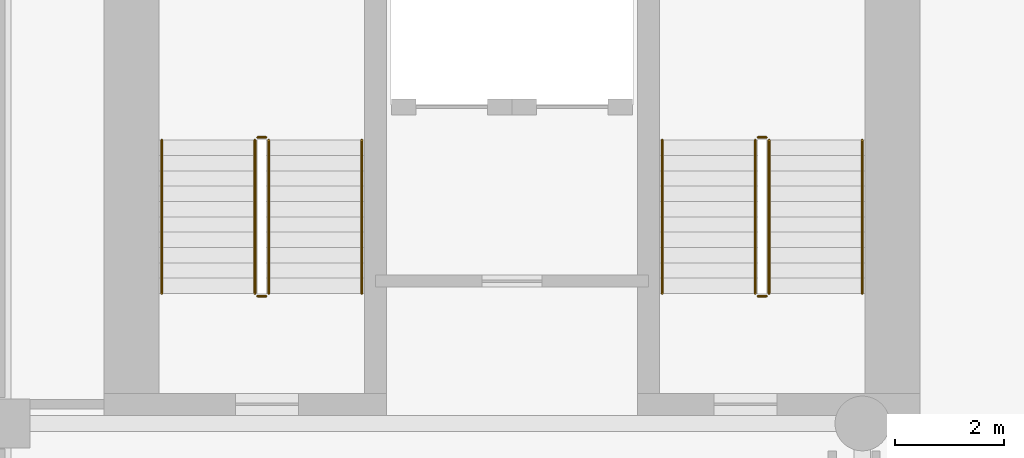
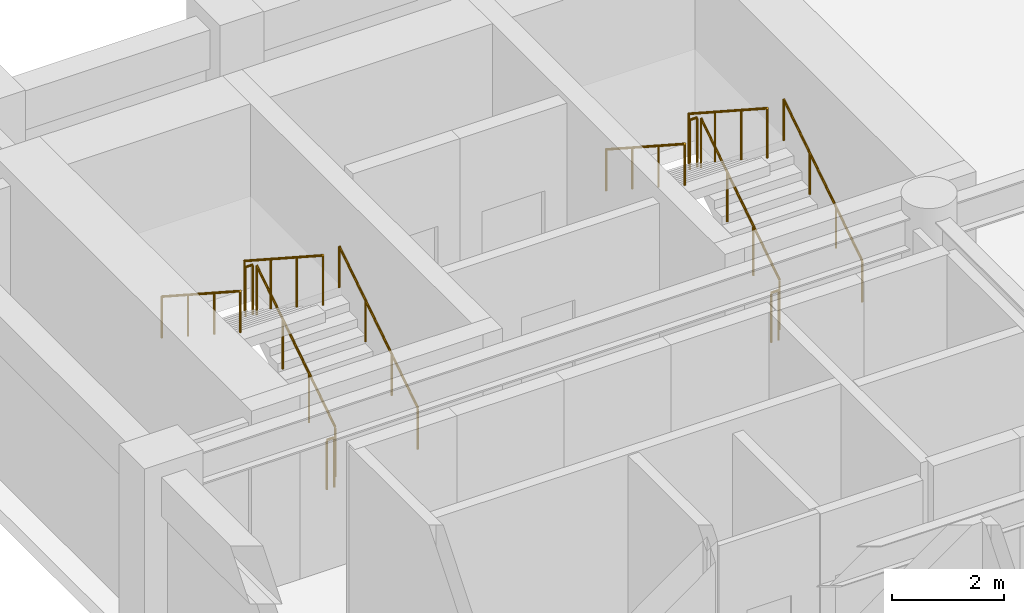
# One storey, part 7 of 8: 12 railings.
"""IFC4 building model written with IfcOpenShell, lengths in metres."""

from ifc_helpers import new_model, si_unit, direction, frame, origin, origin_2d, place, context, subcontext, project, spatial, circle, extrude, material, type_object, element, save


model = new_model("IFC4")

# Units and contexts
model_context = context("Model", 3, precision=1e-05, world=origin(), true_north=direction((0.0, 1.0)))
body_context = subcontext(model_context, "Body", "Model", "MODEL_VIEW")
ifc_project = project(units=[si_unit("LENGTHUNIT", "METRE"), si_unit("AREAUNIT", "SQUARE_METRE"), si_unit("VOLUMEUNIT", "CUBIC_METRE"), si_unit("PLANEANGLEUNIT", "RADIAN"), si_unit("MASSUNIT", "GRAM", prefix="KILO")], contexts=[model_context])

# Site, building, storey
site_placement = place(None, origin())
site = spatial("IfcSite", under=ifc_project, at=site_placement, CompositionType="ELEMENT")
building_placement = place(site_placement, origin())
building = spatial("IfcBuilding", under=site, at=building_placement, Name="Sulina Concourse Tower", CompositionType="ELEMENT")
storey_placement = place(building_placement, frame((0.0, 0.0, 74.60009765625)))
storey = spatial("IfcBuildingStorey", under=building, at=storey_placement, Name="L18", CompositionType="ELEMENT", Elevation=74.60009765625)

# Railings
ifc_material_1 = material(Name="Galvanised steel railing", Category="steel")
railing_type_1 = type_object("IfcRailingType", Name="Core Stair Steel Guardrail 1150mm", PredefinedType="GUARDRAIL", material=ifc_material_1)
railing_1_placement = place(storey_placement, frame((5.554931640625, 36.375, 0.181640625)))
element("IfcRailing", 1, at=railing_1_placement, inside=storey, type_object=railing_type_1, Name="L18 ST-1 stair guard 1", PredefinedType="GUARDRAIL", context=body_context, shape_type="SweptSolid", body=[
    extrude(circle(Radius=0.02392578125, at=origin_2d()), frame((0.0, 0.0, 1.076171875), z_axis=(0.0, 0.838672427954, 0.544636170843), x_axis=(-1.0, 0.0, 0.0)), (0.0, 0.0, 1.0), 3.338623046875),
    extrude(circle(Radius=0.02099609375, at=origin_2d()), origin(), (0.0, 0.0, 1.0), 1.052001953125),
    extrude(circle(Radius=0.02099609375, at=origin_2d()), frame((0.0, 0.933349609375, 0.606201171875)), (0.0, 0.0, 1.0), 1.052001953125),
    extrude(circle(Radius=0.02099609375, at=origin_2d()), frame((0.0, 1.86669921875, 1.212158203125)), (0.0, 0.0, 1.0), 1.052001953125),
    extrude(circle(Radius=0.02099609375, at=origin_2d()), frame((0.0, 2.800048828125, 1.818359375)), (0.0, 0.0, 1.0), 1.052001953125),
])
railing_2_placement = place(storey_placement, frame((5.5048828125, 39.22509765625, 2.0)))
element("IfcRailing", 2, at=railing_2_placement, inside=storey, type_object=railing_type_1, Name="L18 ST-1 stair guard 2", PredefinedType="GUARDRAIL", context=body_context, shape_type="SweptSolid", body=[
    extrude(circle(Radius=0.02392578125, at=origin_2d()), frame((0.0, 0.0, 1.076171875), z_axis=(-1.0, 0.0, 0.0), x_axis=(0.0, -1.0, 0.0)), (0.0, 0.0, 1.0), 0.14990234375),
    extrude(circle(Radius=0.02099609375, at=origin_2d()), origin(), (0.0, 0.0, 1.0), 1.052001953125),
    extrude(circle(Radius=0.02099609375, at=origin_2d()), frame((-0.14990234375, 0.0, 0.0)), (0.0, 0.0, 1.0), 1.052001953125),
])
railing_3_placement = place(storey_placement, frame((5.304931640625, 39.175048828125, 2.181640625)))
element("IfcRailing", 3, at=railing_3_placement, inside=storey, type_object=railing_type_1, Name="L18 ST-1 stair guard 3", PredefinedType="GUARDRAIL", context=body_context, shape_type="SweptSolid", body=[
    extrude(circle(Radius=0.02392578125, at=origin_2d()), frame((0.0, 0.0, 1.076171875), z_axis=(0.0, -0.838672427954, 0.544636170843), x_axis=(1.0, 0.0, 0.0)), (0.0, 0.0, 1.0), 3.338623046875),
    extrude(circle(Radius=0.02099609375, at=origin_2d()), origin(), (0.0, 0.0, 1.0), 1.052001953125),
    extrude(circle(Radius=0.02099609375, at=origin_2d()), frame((0.0, -0.933349609375, 0.606201171875)), (0.0, 0.0, 1.0), 1.052001953125),
    extrude(circle(Radius=0.02099609375, at=origin_2d()), frame((0.0, -1.86669921875, 1.212158203125)), (0.0, 0.0, 1.0), 1.052001953125),
    extrude(circle(Radius=0.02099609375, at=origin_2d()), frame((0.0, -2.800048828125, 1.818359375)), (0.0, 0.0, 1.0), 1.052001953125),
])
railing_4_placement = place(storey_placement, frame((5.5048828125, 36.324951171875, 0.0)))
element("IfcRailing", 4, at=railing_4_placement, inside=storey, type_object=railing_type_1, Name="L18 ST-1 stair guard 4", PredefinedType="GUARDRAIL", context=body_context, shape_type="SweptSolid", body=[
    extrude(circle(Radius=0.02392578125, at=origin_2d()), frame((0.0, 0.0, 1.076171875), z_axis=(-1.0, 0.0, 0.0), x_axis=(0.0, -1.0, 0.0)), (0.0, 0.0, 1.0), 0.14990234375),
    extrude(circle(Radius=0.02099609375, at=origin_2d()), origin(), (0.0, 0.0, 1.0), 1.052001953125),
    extrude(circle(Radius=0.02099609375, at=origin_2d()), frame((-0.14990234375, 0.0, 0.0)), (0.0, 0.0, 1.0), 1.052001953125),
])
railing_5_placement = place(storey_placement, frame((14.695068359375, 36.375, 0.181640625)))
element("IfcRailing", 5, at=railing_5_placement, inside=storey, type_object=railing_type_1, Name="L18 ST-2 stair guard 1", PredefinedType="GUARDRAIL", context=body_context, shape_type="SweptSolid", body=[
    extrude(circle(Radius=0.02392578125, at=origin_2d()), frame((0.0, 0.0, 1.076171875), z_axis=(0.0, 0.838672427954, 0.544636170843), x_axis=(-1.0, 0.0, 0.0)), (0.0, 0.0, 1.0), 3.338623046875),
    extrude(circle(Radius=0.02099609375, at=origin_2d()), origin(), (0.0, 0.0, 1.0), 1.052001953125),
    extrude(circle(Radius=0.02099609375, at=origin_2d()), frame((0.0, 0.933349609375, 0.606201171875)), (0.0, 0.0, 1.0), 1.052001953125),
    extrude(circle(Radius=0.02099609375, at=origin_2d()), frame((0.0, 1.86669921875, 1.212158203125)), (0.0, 0.0, 1.0), 1.052001953125),
    extrude(circle(Radius=0.02099609375, at=origin_2d()), frame((0.0, 2.800048828125, 1.818359375)), (0.0, 0.0, 1.0), 1.052001953125),
])
railing_6_placement = place(storey_placement, frame((14.64501953125, 39.22509765625, 2.0)))
element("IfcRailing", 6, at=railing_6_placement, inside=storey, type_object=railing_type_1, Name="L18 ST-2 stair guard 2", PredefinedType="GUARDRAIL", context=body_context, shape_type="SweptSolid", body=[
    extrude(circle(Radius=0.02392578125, at=origin_2d()), frame((0.0, 0.0, 1.076171875), z_axis=(-1.0, 0.0, 0.0), x_axis=(0.0, -1.0, 0.0)), (0.0, 0.0, 1.0), 0.14990234375),
    extrude(circle(Radius=0.02099609375, at=origin_2d()), origin(), (0.0, 0.0, 1.0), 1.052001953125),
    extrude(circle(Radius=0.02099609375, at=origin_2d()), frame((-0.14990234375, 0.0, 0.0)), (0.0, 0.0, 1.0), 1.052001953125),
])
railing_7_placement = place(storey_placement, frame((14.445068359375, 39.175048828125, 2.181640625)))
element("IfcRailing", 7, at=railing_7_placement, inside=storey, type_object=railing_type_1, Name="L18 ST-2 stair guard 3", PredefinedType="GUARDRAIL", context=body_context, shape_type="SweptSolid", body=[
    extrude(circle(Radius=0.02392578125, at=origin_2d()), frame((0.0, 0.0, 1.076171875), z_axis=(0.0, -0.838672427954, 0.544636170843), x_axis=(1.0, 0.0, 0.0)), (0.0, 0.0, 1.0), 3.338623046875),
    extrude(circle(Radius=0.02099609375, at=origin_2d()), origin(), (0.0, 0.0, 1.0), 1.052001953125),
    extrude(circle(Radius=0.02099609375, at=origin_2d()), frame((0.0, -0.933349609375, 0.606201171875)), (0.0, 0.0, 1.0), 1.052001953125),
    extrude(circle(Radius=0.02099609375, at=origin_2d()), frame((0.0, -1.86669921875, 1.212158203125)), (0.0, 0.0, 1.0), 1.052001953125),
    extrude(circle(Radius=0.02099609375, at=origin_2d()), frame((0.0, -2.800048828125, 1.818359375)), (0.0, 0.0, 1.0), 1.052001953125),
])
railing_8_placement = place(storey_placement, frame((14.64501953125, 36.324951171875, 0.0)))
element("IfcRailing", 8, at=railing_8_placement, inside=storey, type_object=railing_type_1, Name="L18 ST-2 stair guard 4", PredefinedType="GUARDRAIL", context=body_context, shape_type="SweptSolid", body=[
    extrude(circle(Radius=0.02392578125, at=origin_2d()), frame((0.0, 0.0, 1.076171875), z_axis=(-1.0, 0.0, 0.0), x_axis=(0.0, -1.0, 0.0)), (0.0, 0.0, 1.0), 0.14990234375),
    extrude(circle(Radius=0.02099609375, at=origin_2d()), origin(), (0.0, 0.0, 1.0), 1.052001953125),
    extrude(circle(Radius=0.02099609375, at=origin_2d()), frame((-0.14990234375, 0.0, 0.0)), (0.0, 0.0, 1.0), 1.052001953125),
])
ifc_material_2 = material(Name="Galvanised steel railing", Category="steel")
railing_type_2 = type_object("IfcRailingType", Name="Stair Wall Steel Handrail 920mm", PredefinedType="HANDRAIL", material=ifc_material_2)
railing_9_placement = place(storey_placement, frame((7.2548828125, 36.375, 0.181640625)))
element("IfcRailing", 9, at=railing_9_placement, inside=storey, type_object=railing_type_2, Name="L18 ST-1 stair handrail 1", PredefinedType="HANDRAIL", context=body_context, shape_type="SweptSolid", body=[
    extrude(circle(Radius=0.02392578125, at=origin_2d()), frame((0.0, 0.0, 0.89599609375), z_axis=(0.0, 0.838672427954, 0.544636170843), x_axis=(-1.0, 0.0, 0.0)), (0.0, 0.0, 1.0), 3.338623046875),
    extrude(circle(Radius=0.02099609375, at=origin_2d()), origin(), (0.0, 0.0, 1.0), 0.871826171875),
    extrude(circle(Radius=0.02099609375, at=origin_2d()), frame((0.0, 0.933349609375, 0.606201171875)), (0.0, 0.0, 1.0), 0.871826171875),
    extrude(circle(Radius=0.02099609375, at=origin_2d()), frame((0.0, 1.86669921875, 1.212158203125)), (0.0, 0.0, 1.0), 0.871826171875),
    extrude(circle(Radius=0.02099609375, at=origin_2d()), frame((0.0, 2.800048828125, 1.818359375)), (0.0, 0.0, 1.0), 0.871826171875),
])
railing_10_placement = place(storey_placement, frame((3.60498046875, 39.175048828125, 2.181640625)))
element("IfcRailing", 10, at=railing_10_placement, inside=storey, type_object=railing_type_2, Name="L18 ST-1 stair handrail 2", PredefinedType="HANDRAIL", context=body_context, shape_type="SweptSolid", body=[
    extrude(circle(Radius=0.02392578125, at=origin_2d()), frame((0.0, 0.0, 0.89599609375), z_axis=(0.0, -0.838672427954, 0.544636170843), x_axis=(1.0, 0.0, 0.0)), (0.0, 0.0, 1.0), 3.338623046875),
    extrude(circle(Radius=0.02099609375, at=origin_2d()), origin(), (0.0, 0.0, 1.0), 0.871826171875),
    extrude(circle(Radius=0.02099609375, at=origin_2d()), frame((0.0, -0.933349609375, 0.606201171875)), (0.0, 0.0, 1.0), 0.871826171875),
    extrude(circle(Radius=0.02099609375, at=origin_2d()), frame((0.0, -1.86669921875, 1.212158203125)), (0.0, 0.0, 1.0), 0.871826171875),
    extrude(circle(Radius=0.02099609375, at=origin_2d()), frame((0.0, -2.800048828125, 1.818359375)), (0.0, 0.0, 1.0), 0.871826171875),
])
railing_11_placement = place(storey_placement, frame((16.39501953125, 36.375, 0.181640625)))
element("IfcRailing", 11, at=railing_11_placement, inside=storey, type_object=railing_type_2, Name="L18 ST-2 stair handrail 1", PredefinedType="HANDRAIL", context=body_context, shape_type="SweptSolid", body=[
    extrude(circle(Radius=0.02392578125, at=origin_2d()), frame((0.0, 0.0, 0.89599609375), z_axis=(0.0, 0.838672427954, 0.544636170843), x_axis=(-1.0, 0.0, 0.0)), (0.0, 0.0, 1.0), 3.338623046875),
    extrude(circle(Radius=0.02099609375, at=origin_2d()), origin(), (0.0, 0.0, 1.0), 0.871826171875),
    extrude(circle(Radius=0.02099609375, at=origin_2d()), frame((0.0, 0.933349609375, 0.606201171875)), (0.0, 0.0, 1.0), 0.871826171875),
    extrude(circle(Radius=0.02099609375, at=origin_2d()), frame((0.0, 1.86669921875, 1.212158203125)), (0.0, 0.0, 1.0), 0.871826171875),
    extrude(circle(Radius=0.02099609375, at=origin_2d()), frame((0.0, 2.800048828125, 1.818359375)), (0.0, 0.0, 1.0), 0.871826171875),
])
railing_12_placement = place(storey_placement, frame((12.7451171875, 39.175048828125, 2.181640625)))
element("IfcRailing", 12, at=railing_12_placement, inside=storey, type_object=railing_type_2, Name="L18 ST-2 stair handrail 2", PredefinedType="HANDRAIL", context=body_context, shape_type="SweptSolid", body=[
    extrude(circle(Radius=0.02392578125, at=origin_2d()), frame((0.0, 0.0, 0.89599609375), z_axis=(0.0, -0.838672427954, 0.544636170843), x_axis=(1.0, 0.0, 0.0)), (0.0, 0.0, 1.0), 3.338623046875),
    extrude(circle(Radius=0.02099609375, at=origin_2d()), origin(), (0.0, 0.0, 1.0), 0.871826171875),
    extrude(circle(Radius=0.02099609375, at=origin_2d()), frame((0.0, -0.933349609375, 0.606201171875)), (0.0, 0.0, 1.0), 0.871826171875),
    extrude(circle(Radius=0.02099609375, at=origin_2d()), frame((0.0, -1.86669921875, 1.212158203125)), (0.0, 0.0, 1.0), 0.871826171875),
    extrude(circle(Radius=0.02099609375, at=origin_2d()), frame((0.0, -2.800048828125, 1.818359375)), (0.0, 0.0, 1.0), 0.871826171875),
])

save(model, "model.ifc")
